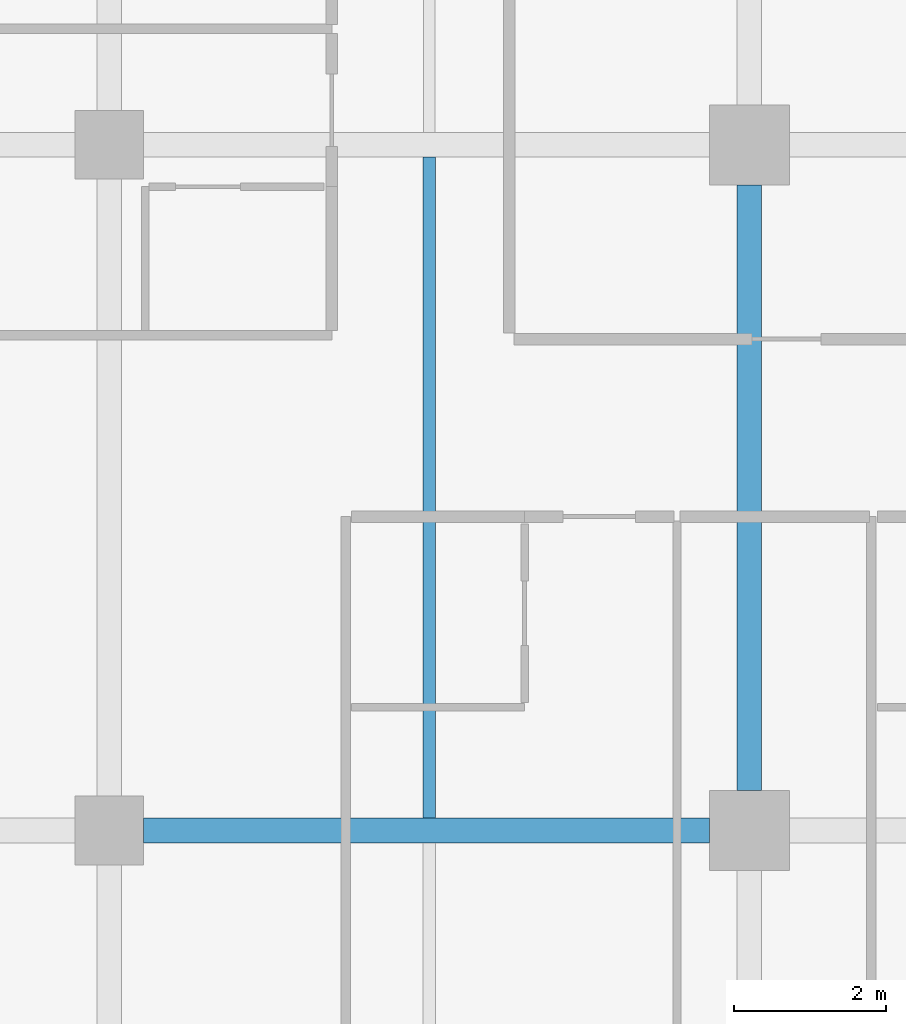
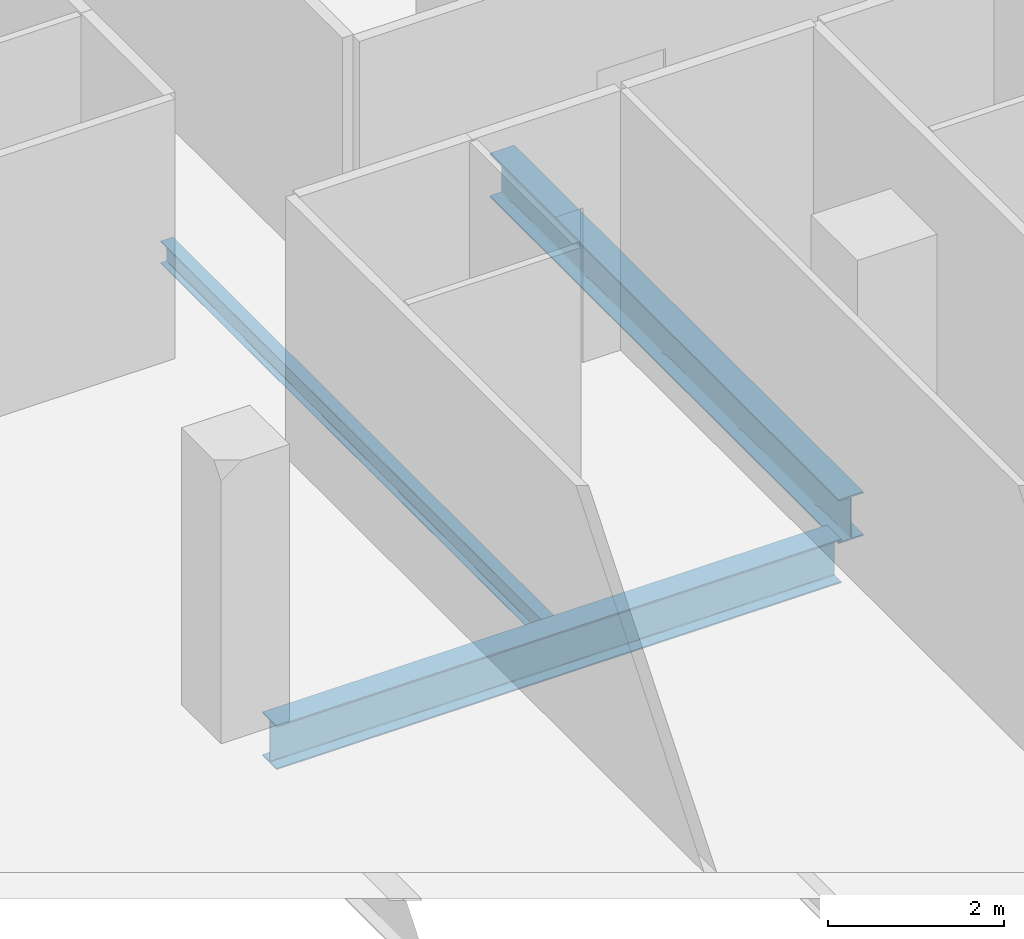
# One storey, part 6 of 40: 3 beams.
"""IFC4 building model written with IfcOpenShell, lengths in metres."""

import ifcopenshell
import ifcopenshell.guid

model = None  # the IFC model being written
_history = None  # IfcOwnerHistory: only IFC2X3 demands one
_inside = {}  # id of a spatial element -> (the spatial element, [elements in it])
_under = {}  # id of a project, library or spatial element -> (it, [spatial elements below it])
_declared = {}  # id of a project -> (the project, [libraries it declares])
_typed = {}  # id of a type object -> (the type object, [elements of that type])
_made_of = {}  # id of a material, layer set ... -> (it, [elements and type objects made of it])


def new_model(schema):
    """Start an empty IFC model of exactly this schema.

    Asked for "IFC4X3", IfcOpenShell would pick the latest addendum, in which some entities
    have other attributes; the version numbers below select the first issue.
    IFC2X3 requires an IfcOwnerHistory on every rooted entity: one is made here for all.
    """
    global model, _history
    if schema == "IFC4X3":
        model = ifcopenshell.file(schema_version=(4, 3, 0, 0))
    else:
        model = ifcopenshell.file(schema=schema)
    _inside.clear()
    _under.clear()
    _declared.clear()
    _typed.clear()
    _made_of.clear()
    _history = None
    if model.schema == "IFC2X3":
        org = make("IfcOrganization", Name="unknown")
        user = make(
            "IfcPersonAndOrganization",
            ThePerson=make("IfcPerson", FamilyName="unknown"),
            TheOrganization=org,
        )
        app = make(
            "IfcApplication",
            ApplicationDeveloper=org,
            Version="unknown",
            ApplicationFullName="unknown",
            ApplicationIdentifier="unknown",
        )
        _history = make(
            "IfcOwnerHistory",
            OwningUser=user,
            OwningApplication=app,
            ChangeAction="ADDED",
            CreationDate=0,
        )
    return model


def make(cls, **values):
    """One entity of the class cls with the attributes given. An attribute that is None is left unset."""
    return model.create_entity(
        cls, **{name: value for name, value in values.items() if value is not None}
    )


def rooted(cls, **values):
    """An entity with a GlobalId (a new one), such as an element, a storey or a relation."""
    return make(cls, GlobalId=ifcopenshell.guid.new(), OwnerHistory=_history, **values)


def si_unit(unit_type, name, prefix=None):
    """IfcSIUnit, for example si_unit("LENGTHUNIT", "METRE", prefix="MILLI")."""
    return make("IfcSIUnit", UnitType=unit_type, Prefix=prefix, Name=name)


def assignment(units):
    """IfcUnitAssignment: the units of a project."""
    return None if units is None else make("IfcUnitAssignment", Units=units)


def point(xyz):
    """IfcCartesianPoint."""
    return None if xyz is None else make("IfcCartesianPoint", Coordinates=xyz)


def direction(xyz):
    """IfcDirection."""
    return None if xyz is None else make("IfcDirection", DirectionRatios=xyz)


def frame(location, z_axis=None, x_axis=None):
    """IfcAxis2Placement3D, a coordinate frame: its origin and axes. An axis left out is left unset."""
    return make(
        "IfcAxis2Placement3D",
        Location=point(location),
        Axis=direction(z_axis),
        RefDirection=direction(x_axis),
    )


def frame_2d(location, x_axis=None):
    """IfcAxis2Placement2D, a coordinate frame in the plane: its origin and x axis."""
    return make(
        "IfcAxis2Placement2D", Location=point(location), RefDirection=direction(x_axis)
    )


def origin():
    """The frame at (0, 0, 0) with its axes left unset."""
    return frame((0.0, 0.0, 0.0))


def origin_2d():
    """The frame at (0, 0) in the plane with its x axis left unset."""
    return frame_2d((0.0, 0.0))


def place(relative_to, where):
    """IfcLocalPlacement: puts the frame where relative to a parent placement (None: the world)."""
    return make(
        "IfcLocalPlacement", PlacementRelTo=relative_to, RelativePlacement=where
    )


def context(
    kind, dimensions, precision=None, world=None, true_north=None, identifier=None
):
    """IfcGeometricRepresentationContext, for example the 3D "Model" context."""
    return make(
        "IfcGeometricRepresentationContext",
        ContextIdentifier=identifier,
        ContextType=kind,
        CoordinateSpaceDimension=dimensions,
        Precision=precision,
        WorldCoordinateSystem=world,
        TrueNorth=true_north,
    )


def subcontext(parent, identifier, kind, view, scale=None):
    """IfcGeometricRepresentationSubContext, for example "Body" below "Model"."""
    return make(
        "IfcGeometricRepresentationSubContext",
        ContextIdentifier=identifier,
        ContextType=kind,
        ParentContext=parent,
        TargetScale=scale,
        TargetView=view,
    )


def project(units=None, contexts=None):
    """IfcProject with its units and contexts."""
    return rooted(
        "IfcProject",
        Name="project",
        RepresentationContexts=contexts,
        UnitsInContext=assignment(units),
    )


def spatial(cls, under=None, at=None, **own):
    """A site, building, storey or space (cls), placed at a placement, below another one or the project."""
    s = rooted(cls, ObjectPlacement=at, **own)
    if under is not None:
        _under.setdefault(under.id(), (under, []))[1].append(s)
    return s


def profile(cls, at=None, kind="AREA", **sizes):
    """A parametric profile (cls). Its sizes go by their IFC names, for example OverallWidth=200.0."""
    return make(cls, ProfileType=kind, Position=at, **sizes)


def i_section(**sizes):
    """IfcIShapeProfileDef."""
    return profile("IfcIShapeProfileDef", **sizes)


def extrude(swept, where, along, depth):
    """IfcExtrudedAreaSolid: the profile swept, set in the frame where, extruded along a direction by depth."""
    return make(
        "IfcExtrudedAreaSolid",
        SweptArea=swept,
        Position=where,
        ExtrudedDirection=direction(along),
        Depth=depth,
    )


def shape(context_of_items, identifier, shape_type, items):
    """IfcShapeRepresentation: the items that make up one representation, for example the "Body"."""
    return make(
        "IfcShapeRepresentation",
        ContextOfItems=context_of_items,
        RepresentationIdentifier=identifier,
        RepresentationType=shape_type,
        Items=items,
    )


def material(Name=None, Category=None):
    """IfcMaterial."""
    return make("IfcMaterial", Name=Name, Category=Category)


def material_profile(
    of_material, cross_section, Name=None, Category=None, Priority=None
):
    """IfcMaterialProfile: a cross section and its material."""
    return make(
        "IfcMaterialProfile",
        Name=Name,
        Material=of_material,
        Profile=cross_section,
        Priority=Priority,
        Category=Category,
    )


def profile_set(profiles, Name=None, composite=None):
    """IfcMaterialProfileSet."""
    return make(
        "IfcMaterialProfileSet",
        Name=Name,
        MaterialProfiles=profiles,
        CompositeProfile=composite,
    )


def made_of(thing, what):
    """Note that an element or type object is made of a material, layer set ...; save() writes the relation."""
    if what is not None:
        _made_of.setdefault(what.id(), (what, []))[1].append(thing)
    return thing


def type_object(cls, material=None, **own):
    """A type object (cls), such as IfcWallType, which elements share."""
    return made_of(rooted(cls, **own), material)


def element(
    cls,
    number,
    at=None,
    inside=None,
    cuts=None,
    type_object=None,
    material=None,
    context=None,
    identifier="Body",
    shape_type=None,
    held_by="IfcProductDefinitionShape",
    body=None,
    shapes=None,
    **own,
):
    """One element of the class cls, such as IfcWall. Its Tag is "e" and its number.

    at: its placement. inside: the storey or other place that contains it. cuts: it is an
    opening in that element (IfcRelVoidsElement). A single representation is given by context,
    identifier, shape_type and body (its items); several are given by shapes. held_by: the class
    of the entity that holds the representations. save() writes the other relations.
    """
    e = rooted(cls, Tag="e%d" % number, ObjectPlacement=at, **own)
    if body is not None:
        shapes = [shape(context, identifier, shape_type, body)]
    if shapes is not None:
        e.Representation = make(held_by, Representations=shapes)
    if inside is not None:
        _inside.setdefault(inside.id(), (inside, []))[1].append(e)
    if cuts is not None:
        rooted(
            "IfcRelVoidsElement", RelatingBuildingElement=cuts, RelatedOpeningElement=e
        )
    if type_object is not None:
        _typed.setdefault(type_object.id(), (type_object, []))[1].append(e)
    return made_of(e, material)


def aggregate(whole, parts):
    """IfcRelAggregates: a whole, such as a stair, and the parts it consists of."""
    return rooted("IfcRelAggregates", RelatingObject=whole, RelatedObjects=parts)


def save(model, path):
    """Write the relations noted so far, then the file.

    IfcRelAggregates (storeys below a building ...), IfcRelContainedInSpatialStructure (elements
    in a storey), IfcRelDefinesByType, IfcRelAssociatesMaterial and IfcRelDeclares: one each for
    every whole, place, type object, material and project.
    """
    for whole, parts in _under.values():
        aggregate(whole, parts)
    for where, things in _inside.values():
        rooted(
            "IfcRelContainedInSpatialStructure",
            RelatedElements=things,
            RelatingStructure=where,
        )
    for kind, things in _typed.values():
        rooted("IfcRelDefinesByType", RelatedObjects=things, RelatingType=kind)
    for what, things in _made_of.values():
        rooted("IfcRelAssociatesMaterial", RelatedObjects=things, RelatingMaterial=what)
    for by, libraries in _declared.values():
        rooted("IfcRelDeclares", RelatingContext=by, RelatedDefinitions=libraries)
    model.write(path)


model = new_model("IFC4")

# Units and contexts
model_context = context("Model", 3, precision=1e-05, world=origin(), true_north=direction((0.0, 1.0)))
body_context = subcontext(model_context, "Body", "Model", "MODEL_VIEW")
ifc_project = project(units=[si_unit("LENGTHUNIT", "METRE"), si_unit("AREAUNIT", "SQUARE_METRE"), si_unit("VOLUMEUNIT", "CUBIC_METRE"), si_unit("PLANEANGLEUNIT", "RADIAN"), si_unit("MASSUNIT", "GRAM", prefix="KILO")], contexts=[model_context])

# Site, building, storey
site_placement = place(None, origin())
site = spatial("IfcSite", under=ifc_project, at=site_placement, CompositionType="ELEMENT")
building_placement = place(site_placement, origin())
building = spatial("IfcBuilding", under=site, at=building_placement, Name="Maruvema Waterfront Hotel and Observation Tower", CompositionType="ELEMENT")
storey_placement = place(building_placement, frame((0.0, 0.0, 80.85009765625)))
storey = spatial("IfcBuildingStorey", under=building, at=storey_placement, Name="L19", CompositionType="ELEMENT", Elevation=80.85009765625)

# Beams
ifc_material_1 = material(Name="Steel ASTM A572 Grade 50", Category="steel")
ifc_material_profile_1 = material_profile(ifc_material_1, i_section(OverallWidth=0.323974609375, OverallDepth=0.611083984375, WebThickness=0.0126953125, FlangeThickness=0.01904296875, FilletRadius=0.01806640625, at=origin_2d()), Name="W610x155.0")
ifc_profile_set_1 = profile_set([ifc_material_profile_1], Name="Steel ASTM A572 Grade 50")
beam_type_1 = type_object("IfcBeamType", Name="Primary Floor Girder W610x155.0", PredefinedType="BEAM", material=ifc_profile_set_1)
beam_1_placement = place(storey_placement, frame((17.25, 9.0, -0.545654296875), z_axis=(1.0, 0.0, 0.0), x_axis=(0.0, 1.0, 0.0)))
element("IfcBeam", 1, at=beam_1_placement, inside=storey, type_object=beam_type_1, Name="L19 Floor Girder EW-07", PredefinedType="BEAM", context=body_context, shape_type="SweptSolid", body=[
    extrude(i_section(OverallWidth=0.323974609375, OverallDepth=0.611083984375, WebThickness=0.0126953125, FlangeThickness=0.01904296875, FilletRadius=0.01806640625, at=origin_2d()), origin(), (0.0, 0.0, 1.0), 7.425048828125),
])
beam_2_placement = place(storey_placement, frame((25.199951171875, 9.52490234375, -0.545654296875), z_axis=(0.0, 1.0, 0.0), x_axis=(-1.0, 0.0, 0.0)))
element("IfcBeam", 2, at=beam_2_placement, inside=storey, type_object=beam_type_1, Name="L19 Floor Girder NS-12", PredefinedType="BEAM", context=body_context, shape_type="SweptSolid", body=[
    extrude(i_section(OverallWidth=0.323974609375, OverallDepth=0.611083984375, WebThickness=0.0126953125, FlangeThickness=0.01904296875, FilletRadius=0.01806640625, at=origin_2d()), origin(), (0.0, 0.0, 1.0), 7.9501953125),
])
ifc_material_2 = material(Name="Steel ASTM A572 Grade 50", Category="steel")
ifc_material_profile_2 = material_profile(ifc_material_2, i_section(OverallWidth=0.1650390625, OverallDepth=0.31005859375, WebThickness=0.005859375, FlangeThickness=0.009765625, FilletRadius=0.012939453125, at=origin_2d()), Name="W310x38.7")
ifc_profile_set_2 = profile_set([ifc_material_profile_2], Name="Steel ASTM A572 Grade 50")
beam_type_2 = type_object("IfcBeamType", Name="Secondary Floor Joist W310x38.7", PredefinedType="JOIST", material=ifc_profile_set_2)
beam_3_placement = place(storey_placement, frame((21.0, 9.162109375, -0.39501953125), z_axis=(0.0, 1.0, 0.0), x_axis=(-1.0, 0.0, 0.0)))
element("IfcBeam", 3, at=beam_3_placement, inside=storey, type_object=beam_type_2, Name="L19 Secondary Floor Joist JS-06", PredefinedType="JOIST", context=body_context, shape_type="SweptSolid", body=[
    extrude(i_section(OverallWidth=0.1650390625, OverallDepth=0.31005859375, WebThickness=0.005859375, FlangeThickness=0.009765625, FilletRadius=0.012939453125, at=origin_2d()), origin(), (0.0, 0.0, 1.0), 8.67578125),
])

save(model, "model.ifc")
